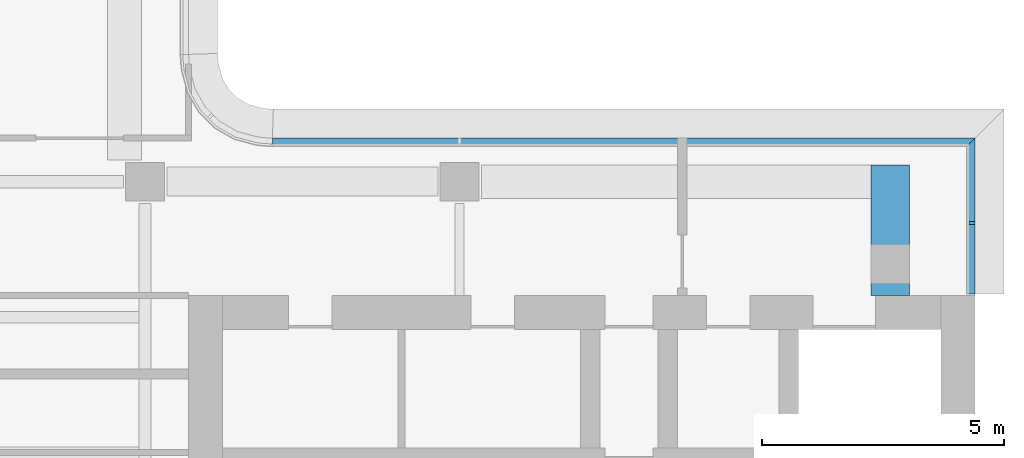
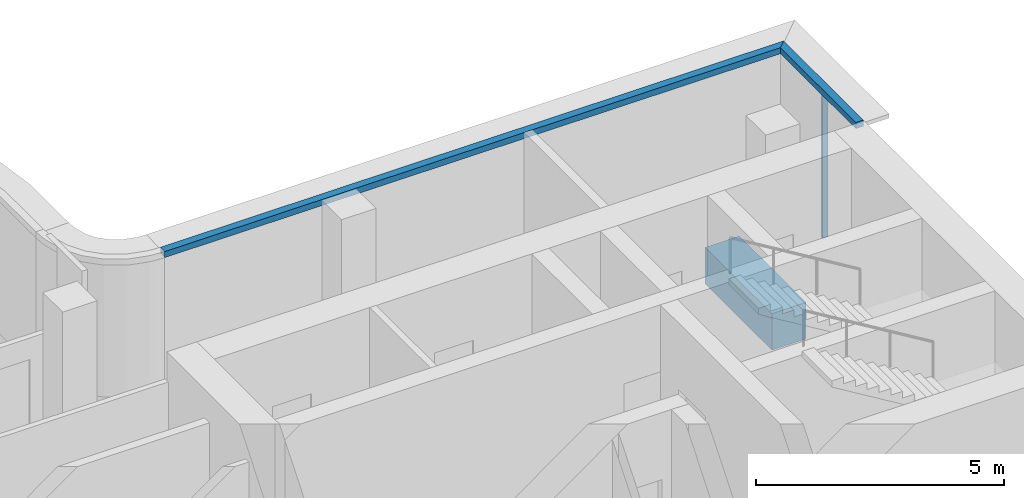
# One storey, part 5 of 10: 3 members, 1 beam, 2 elements without a shape of their own.
"""IFC4 building model written with IfcOpenShell, lengths in metres."""

from ifc_helpers import new_model, si_unit, direction, frame, origin, origin_2d, place, context, subcontext, project, spatial, polyline, rectangle, outline, extrude, source, transform, mapped, material, layer, layer_set, material_profile, profile_set, type_object, element, aggregate, save


model = new_model("IFC4")

# Units and contexts
model_context = context("Model", 3, precision=1e-05, world=origin(), true_north=direction((0.0, 1.0)))
body_context = subcontext(model_context, "Body", "Model", "MODEL_VIEW")
ifc_project = project(units=[si_unit("LENGTHUNIT", "METRE"), si_unit("AREAUNIT", "SQUARE_METRE"), si_unit("VOLUMEUNIT", "CUBIC_METRE"), si_unit("PLANEANGLEUNIT", "RADIAN"), si_unit("MASSUNIT", "GRAM", prefix="KILO")], contexts=[model_context])

# Site, building, storey
site_placement = place(None, origin())
site = spatial("IfcSite", under=ifc_project, at=site_placement, CompositionType="ELEMENT")
building_placement = place(site_placement, origin())
building = spatial("IfcBuilding", under=site, at=building_placement, Name="Trellis Farm Tower", CompositionType="ELEMENT")
storey_placement = place(building_placement, frame((0.0, 0.0, 350.10009765625)))
storey = spatial("IfcBuildingStorey", under=building, at=storey_placement, Name="L79", CompositionType="ELEMENT", Elevation=350.10009765625)

# Beam
ifc_material_1 = material(Name="Concrete C60/75", Category="concrete")
ifc_material_profile_1 = material_profile(ifc_material_1, rectangle(XDim=0.800048828125, YDim=0.89990234375, at=origin_2d()), Name="RC spandrel beam 800x900 C60/75")
ifc_profile_set_1 = profile_set([ifc_material_profile_1], Name="Concrete C60/75")
beam_type = type_object("IfcBeamType", Name="RC spandrel beam 800x900 C60/75", PredefinedType="SPANDREL", material=ifc_profile_set_1)
shared_shape_1 = source(origin(), body_context, "Body", "SweptSolid", [
    extrude(rectangle(XDim=0.800048828125, YDim=0.89990234375, at=origin_2d()), origin(), (0.0, 0.0, 1.0), 2.699951171875),
])
beam_placement = place(storey_placement, frame((21.0, 3.25, -0.7001953125), z_axis=(0.0, 1.0, 0.0), x_axis=(-1.0, 0.0, 0.0)))
element("IfcBeam", 1, at=beam_placement, inside=storey, type_object=beam_type, Name="Girder", PredefinedType="SPANDREL", context=body_context, shape_type="MappedRepresentation", body=[
    mapped(shared_shape_1, transform((0.0, 0.0, 0.0))),
])

# Curtain wall, member
ifc_material_2 = material(Name="Aluminium and glass curtain wall", Category="aluminium")
ifc_layer_1 = layer(ifc_material_2, 0.176025390625)
ifc_layer_set_1 = layer_set([ifc_layer_1], Name="CROWN LANTERN CURTAIN WALL CW5")
curtain_wall_type = type_object("IfcCurtainWallType", Name="CROWN LANTERN CURTAIN WALL CW5", PredefinedType="NOTDEFINED", material=ifc_layer_set_1)
placement_1 = place(storey_placement, origin())
curtain_wall_1 = element("IfcCurtainWall", 2, at=placement_1, inside=storey, type_object=curtain_wall_type, Name="CW5 005", PredefinedType="NOTDEFINED")
ifc_material_3 = material(Name="Aluminium extrusion 6063-T6", Category="aluminium")
ifc_material_profile_2 = material_profile(ifc_material_3, rectangle(XDim=0.06005859375, YDim=0.1201171875, at=origin_2d()), Name="MULLION 60x120")
ifc_profile_set_2 = profile_set([ifc_material_profile_2], Name="Aluminium extrusion 6063-T6")
member_type_1 = type_object("IfcMemberType", Name="CW5 MULLION 60x120", PredefinedType="MULLION", material=ifc_profile_set_2)
shared_shape_2 = source(origin(), body_context, "Body", "SweptSolid", [
    extrude(rectangle(XDim=0.06005859375, YDim=0.1201171875, at=origin_2d()), origin(), (0.0, 0.0, 1.0), 3.599853515625),
])
member_1_placement = place(storey_placement, frame((22.68994140625, 4.75, 0.0), z_axis=(0.0, 0.0, 1.0), x_axis=(0.0, 1.0, 0.0)))
member_1 = element("IfcMember", 3, at=member_1_placement, type_object=member_type_1, Name="MU5 005-01", PredefinedType="MULLION", context=body_context, shape_type="MappedRepresentation", body=[
    mapped(shared_shape_2, transform((0.0, 0.0, 0.0))),
])

curtain_wall_2 = element("IfcCurtainWall", 4, at=placement_1, inside=storey, type_object=curtain_wall_type, Name="CW5 006", PredefinedType="NOTDEFINED")
ifc_layer_2 = layer(ifc_material_3, 0.176025390625)
ifc_layer_set_2 = layer_set([ifc_layer_2], Name="Aluminium extrusion 6063-T6")
member_type_2 = type_object("IfcMemberType", Name="CW5 TRANSOM 176x150", PredefinedType="USERDEFINED", material=ifc_layer_set_2)
shared_shape_3 = source(origin(), body_context, "Body", "SweptSolid", [
    extrude(outline(polyline([(22.75, 6.5), (8.2314453125, 6.5), (8.2255859375, 6.323974609375), (22.573974609375, 6.323974609375), (22.75, 6.5)])), origin(), (0.0, 0.0, 1.0), 0.150146484375),
])
placement_2 = place(storey_placement, frame((0.0, 0.0, 3.599853515625)))
member_2 = element("IfcMember", 5, at=placement_2, type_object=member_type_2, Name="TR5 006", ObjectType="TRANSOM", PredefinedType="USERDEFINED", context=body_context, shape_type="MappedRepresentation", body=[
    mapped(shared_shape_3, transform((0.0, 0.0, 0.0))),
])
aggregate(curtain_wall_2, [member_2])

# Member
shared_shape_4 = source(origin(), body_context, "Body", "SweptSolid", [
    extrude(outline(polyline([(22.75, 3.280029296875), (22.75, 6.5), (22.573974609375, 6.323974609375), (22.573974609375, 3.280029296875), (22.75, 3.280029296875)])), origin(), (0.0, 0.0, 1.0), 0.150146484375),
])
member_3 = element("IfcMember", 6, at=placement_2, type_object=member_type_2, Name="TR5 005", ObjectType="TRANSOM", PredefinedType="USERDEFINED", context=body_context, shape_type="MappedRepresentation", body=[
    mapped(shared_shape_4, transform((0.0, 0.0, 0.0))),
])

aggregate(curtain_wall_1, [member_1, member_3])

save(model, "model.ifc")
